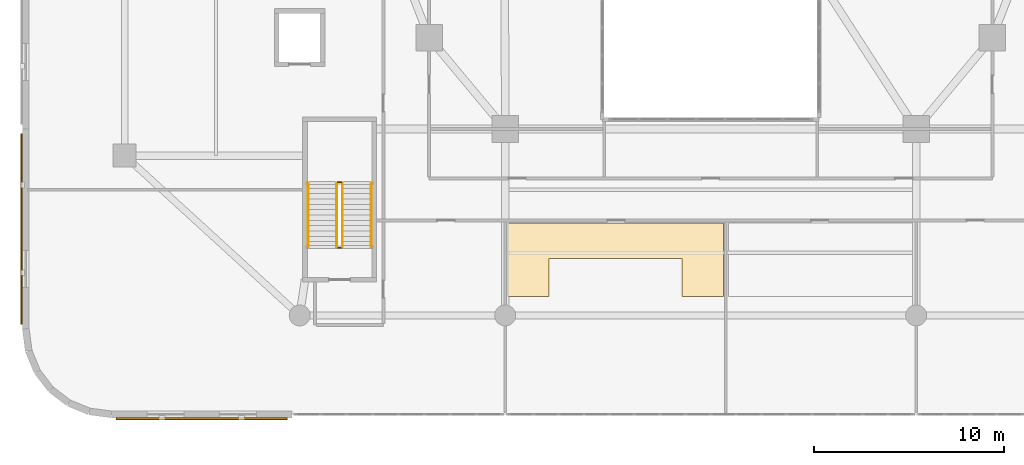
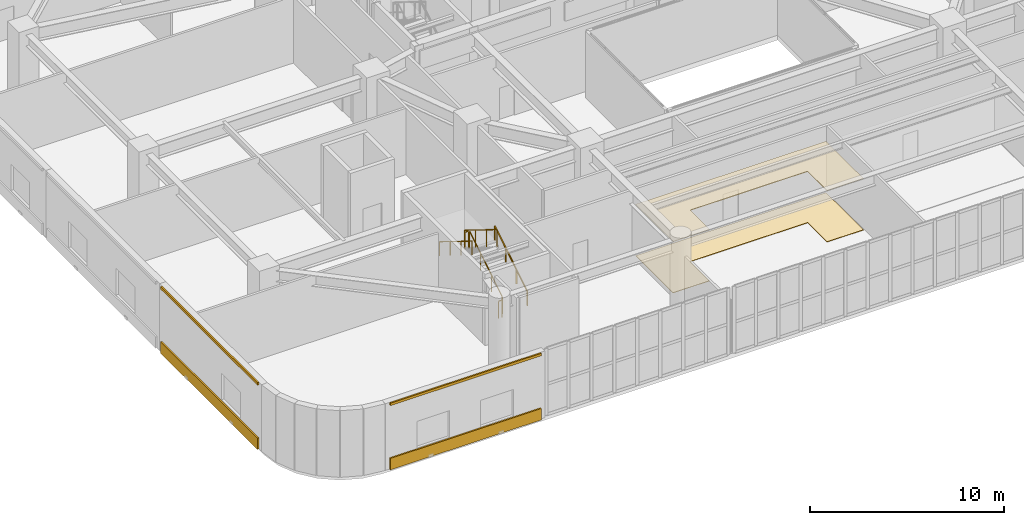
# One storey, part 19 of 25: 6 coverings, 6 railings.
"""IFC4 building model written with IfcOpenShell, lengths in metres."""

from ifc_helpers import new_model, si_unit, direction, frame, origin, origin_2d, place, context, subcontext, project, spatial, polyline, rectangle, outline, extrude, material, layer, layer_set, type_object, element, save


model = new_model("IFC4")

# Units and contexts
model_context = context("Model", 3, precision=1e-05, world=origin(), true_north=direction((0.0, 1.0)))
body_context = subcontext(model_context, "Body", "Model", "MODEL_VIEW")
ifc_project = project(units=[si_unit("LENGTHUNIT", "METRE"), si_unit("AREAUNIT", "SQUARE_METRE"), si_unit("VOLUMEUNIT", "CUBIC_METRE"), si_unit("PLANEANGLEUNIT", "RADIAN"), si_unit("MASSUNIT", "GRAM", prefix="KILO")], contexts=[model_context])

# Site, building, storey
site_placement = place(None, origin())
site = spatial("IfcSite", under=ifc_project, at=site_placement, CompositionType="ELEMENT")
building_placement = place(site_placement, origin())
building = spatial("IfcBuilding", under=site, at=building_placement, Name="Haldorwick Loom Tower", CompositionType="ELEMENT")
storey_placement = place(building_placement, frame((0.0, 0.0, 10.5)))
storey = spatial("IfcBuildingStorey", under=building, at=storey_placement, Name="L02", CompositionType="ELEMENT", Elevation=10.5)

# Coverings
ifc_material_1 = material(Name="Corbelled Pressed Clay Face Brick Veneer", Category="masonry")
ifc_layer_1 = layer(ifc_material_1, 0.090087890625, Name="Corbelled Pressed Clay Face Brick Veneer", Category="masonry")
ifc_layer_set_1 = layer_set([ifc_layer_1], Name="Corbelled Pressed Clay Face Brick Veneer")
covering_type_1 = type_object("IfcCoveringType", Name="ARC-COV-BRICK090", PredefinedType="CLADDING", material=ifc_layer_set_1)
covering_1_placement = place(storey_placement, origin())
element("IfcCovering", 1, at=covering_1_placement, inside=storey, type_object=covering_type_1, Name="L02 Sill Face-Brick Spandrel 31", PredefinedType="CLADDING", context=body_context, shape_type="SweptSolid", body=[
    extrude(outline(polyline([(-0.27001953125, 14.75), (-0.27001953125, 4.75), (-0.179931640625, 4.75), (-0.179931640625, 14.75), (-0.27001953125, 14.75)])), origin(), (0.0, 0.0, 1.0), 0.719970703125),
])
covering_2_placement = place(storey_placement, frame((0.0, 0.0, 4.0400390625)))
element("IfcCovering", 2, at=covering_2_placement, inside=storey, type_object=covering_type_1, Name="L02 Head Face-Brick Lintel Band 31", PredefinedType="CLADDING", context=body_context, shape_type="SweptSolid", body=[
    extrude(outline(polyline([(-0.27001953125, 14.75), (-0.27001953125, 4.75), (-0.179931640625, 4.75), (-0.179931640625, 14.75), (-0.27001953125, 14.75)])), origin(), (0.0, 0.0, 1.0), 0.159912109375),
])
covering_3_placement = place(storey_placement, origin())
element("IfcCovering", 3, at=covering_3_placement, inside=storey, type_object=covering_type_1, Name="L02 Sill Face-Brick Spandrel 38", PredefinedType="CLADDING", context=body_context, shape_type="SweptSolid", body=[
    extrude(outline(polyline([(4.75, -0.27001953125), (13.75, -0.27001953125), (13.75, -0.179931640625), (4.75, -0.179931640625), (4.75, -0.27001953125)])), origin(), (0.0, 0.0, 1.0), 0.719970703125),
])
covering_4_placement = place(storey_placement, frame((0.0, 0.0, 4.0400390625)))
element("IfcCovering", 4, at=covering_4_placement, inside=storey, type_object=covering_type_1, Name="L02 Head Face-Brick Lintel Band 38", PredefinedType="CLADDING", context=body_context, shape_type="SweptSolid", body=[
    extrude(outline(polyline([(4.75, -0.27001953125), (13.75, -0.27001953125), (13.75, -0.179931640625), (4.75, -0.179931640625), (4.75, -0.27001953125)])), origin(), (0.0, 0.0, 1.0), 0.159912109375),
])
ifc_material_2 = material(Name="Mineral Fibre Acoustic Ceiling Tile")
ifc_layer_2 = layer(ifc_material_2, 0.0400390625, Name="Mineral Fibre Acoustic Ceiling Tile")
ifc_layer_set_2 = layer_set([ifc_layer_2], Name="Mineral Fibre Acoustic Ceiling Tile")
covering_type_2 = type_object("IfcCoveringType", Name="ARC-COV-CEIL", PredefinedType="CEILING", material=ifc_layer_set_2)
covering_5_placement = place(storey_placement, frame((0.0, 0.0, 3.22509765625)))
element("IfcCovering", 5, at=covering_5_placement, inside=storey, type_object=covering_type_2, Name="L02 Acoustic Suspended Ceiling 1", PredefinedType="CEILING", context=body_context, shape_type="SweptSolid", body=[
    extrude(outline(polyline([(25.330078125, 6.199951171875), (27.5, 6.199951171875), (27.5, 8.199951171875), (34.5, 8.199951171875), (34.5, 6.199951171875), (36.669921875, 6.199951171875), (36.669921875, 10.06005859375), (25.330078125, 10.06005859375), (25.330078125, 6.199951171875)])), origin(), (0.0, 0.0, 1.0), 0.039794921875),
])
ifc_material_3 = material(Name="Polished Aggregate Terrazzo Finish")
ifc_layer_3 = layer(ifc_material_3, 0.030029296875, Name="Polished Aggregate Terrazzo Finish")
ifc_layer_set_3 = layer_set([ifc_layer_3], Name="Polished Aggregate Terrazzo Finish")
covering_type_3 = type_object("IfcCoveringType", Name="ARC-COV-FLOOR", PredefinedType="FLOORING", material=ifc_layer_set_3)
covering_6_placement = place(storey_placement, origin())
element("IfcCovering", 6, at=covering_6_placement, inside=storey, type_object=covering_type_3, Name="L02 Floor Finish 1", PredefinedType="FLOORING", context=body_context, shape_type="SweptSolid", body=[
    extrude(outline(polyline([(25.330078125, 6.199951171875), (27.5, 6.199951171875), (27.5, 8.199951171875), (34.5, 8.199951171875), (34.5, 6.199951171875), (36.669921875, 6.199951171875), (36.669921875, 10.06005859375), (25.330078125, 10.06005859375), (25.330078125, 6.199951171875)])), origin(), (0.0, 0.0, 1.0), 0.030029296875),
])

# Railings
ifc_material_4 = material(Name="Steel CSA G40.21 350W", Category="steel")
railing_type_1 = type_object("IfcRailingType", Name="ARC-RLG-GUARD112", PredefinedType="GUARDRAIL", material=ifc_material_4)
railing_1_placement = place(storey_placement, frame((16.64990234375, 8.800048828125, 0.173095703125)))
element("IfcRailing", 7, at=railing_1_placement, inside=storey, type_object=railing_type_1, Name="L02 ST-P1 stair guard 1", PredefinedType="GUARDRAIL", context=body_context, shape_type="SweptSolid", body=[
    extrude(rectangle(XDim=0.048095703125, YDim=0.048095703125, at=origin_2d()), frame((0.0, 0.0, 1.076171875), z_axis=(0.0, 0.850606129759, 0.525803396734), x_axis=(-1.0, 0.0, 0.0)), (0.0, 0.0, 1.0), 3.949951171875),
    extrude(rectangle(XDim=0.0419921875, YDim=0.0419921875, at=origin_2d()), origin(), (0.0, 0.0, 1.0), 1.052001953125),
    extrude(rectangle(XDim=0.0419921875, YDim=0.0419921875, at=origin_2d()), frame((0.0, 1.119873046875, 0.6923828125)), (0.0, 0.0, 1.0), 1.052001953125),
    extrude(rectangle(XDim=0.0419921875, YDim=0.0419921875, at=origin_2d()), frame((0.0, 2.239990234375, 1.384521484375)), (0.0, 0.0, 1.0), 1.052001953125),
    extrude(rectangle(XDim=0.0419921875, YDim=0.0419921875, at=origin_2d()), frame((0.0, 3.35986328125, 2.076904296875)), (0.0, 0.0, 1.0), 1.052001953125),
])
railing_2_placement = place(storey_placement, frame((16.60009765625, 12.2099609375, 2.25)))
element("IfcRailing", 8, at=railing_2_placement, inside=storey, type_object=railing_type_1, Name="L02 ST-P1 stair guard 2", PredefinedType="GUARDRAIL", context=body_context, shape_type="SweptSolid", body=[
    extrude(rectangle(XDim=0.048095703125, YDim=0.048095703125, at=origin_2d()), frame((0.0, 0.0, 1.076171875), z_axis=(-1.0, 0.0, 0.0), x_axis=(0.0, -1.0, 0.0)), (0.0, 0.0, 1.0), 0.2001953125),
    extrude(rectangle(XDim=0.0419921875, YDim=0.0419921875, at=origin_2d()), origin(), (0.0, 0.0, 1.0), 1.052001953125),
    extrude(rectangle(XDim=0.0419921875, YDim=0.0419921875, at=origin_2d()), frame((-0.2001953125, 0.0, 0.0)), (0.0, 0.0, 1.0), 1.052001953125),
])
railing_3_placement = place(storey_placement, frame((16.35009765625, 12.159912109375, 2.423095703125)))
element("IfcRailing", 9, at=railing_3_placement, inside=storey, type_object=railing_type_1, Name="L02 ST-P1 stair guard 3", PredefinedType="GUARDRAIL", context=body_context, shape_type="SweptSolid", body=[
    extrude(rectangle(XDim=0.048095703125, YDim=0.048095703125, at=origin_2d()), frame((0.0, 0.0, 1.076171875), z_axis=(0.0, -0.850606129759, 0.525803396734), x_axis=(1.0, 0.0, 0.0)), (0.0, 0.0, 1.0), 3.949951171875),
    extrude(rectangle(XDim=0.0419921875, YDim=0.0419921875, at=origin_2d()), origin(), (0.0, 0.0, 1.0), 1.052001953125),
    extrude(rectangle(XDim=0.0419921875, YDim=0.0419921875, at=origin_2d()), frame((0.0, -1.119873046875, 0.6923828125)), (0.0, 0.0, 1.0), 1.052001953125),
    extrude(rectangle(XDim=0.0419921875, YDim=0.0419921875, at=origin_2d()), frame((0.0, -2.239990234375, 1.384521484375)), (0.0, 0.0, 1.0), 1.052001953125),
    extrude(rectangle(XDim=0.0419921875, YDim=0.0419921875, at=origin_2d()), frame((0.0, -3.35986328125, 2.076904296875)), (0.0, 0.0, 1.0), 1.052001953125),
])
railing_4_placement = place(storey_placement, frame((16.60009765625, 8.75, 0.0)))
element("IfcRailing", 10, at=railing_4_placement, inside=storey, type_object=railing_type_1, Name="L02 ST-P1 stair guard 4", PredefinedType="GUARDRAIL", context=body_context, shape_type="SweptSolid", body=[
    extrude(rectangle(XDim=0.048095703125, YDim=0.048095703125, at=origin_2d()), frame((0.0, 0.0, 1.076171875), z_axis=(-1.0, 0.0, 0.0), x_axis=(0.0, -1.0, 0.0)), (0.0, 0.0, 1.0), 0.2001953125),
    extrude(rectangle(XDim=0.0419921875, YDim=0.0419921875, at=origin_2d()), origin(), (0.0, 0.0, 1.0), 1.052001953125),
    extrude(rectangle(XDim=0.0419921875, YDim=0.0419921875, at=origin_2d()), frame((-0.2001953125, 0.0, 0.0)), (0.0, 0.0, 1.0), 1.052001953125),
])
railing_type_2 = type_object("IfcRailingType", Name="ARC-RLG-HAND092", PredefinedType="HANDRAIL", material=ifc_material_4)
railing_5_placement = place(storey_placement, frame((18.14990234375, 8.800048828125, 0.173095703125)))
element("IfcRailing", 11, at=railing_5_placement, inside=storey, type_object=railing_type_2, Name="L02 ST-P1 stair handrail 1", PredefinedType="HANDRAIL", context=body_context, shape_type="SweptSolid", body=[
    extrude(rectangle(XDim=0.048095703125, YDim=0.048095703125, at=origin_2d()), frame((0.0, 0.0, 0.8759765625), z_axis=(0.0, 0.850606129759, 0.525803396734), x_axis=(-1.0, 0.0, 0.0)), (0.0, 0.0, 1.0), 3.949951171875),
    extrude(rectangle(XDim=0.0419921875, YDim=0.0419921875, at=origin_2d()), origin(), (0.0, 0.0, 1.0), 0.851806640625),
    extrude(rectangle(XDim=0.0419921875, YDim=0.0419921875, at=origin_2d()), frame((0.0, 1.119873046875, 0.6923828125)), (0.0, 0.0, 1.0), 0.851806640625),
    extrude(rectangle(XDim=0.0419921875, YDim=0.0419921875, at=origin_2d()), frame((0.0, 2.239990234375, 1.384521484375)), (0.0, 0.0, 1.0), 0.851806640625),
    extrude(rectangle(XDim=0.0419921875, YDim=0.0419921875, at=origin_2d()), frame((0.0, 3.35986328125, 2.076904296875)), (0.0, 0.0, 1.0), 0.851806640625),
])
railing_6_placement = place(storey_placement, frame((14.85009765625, 12.159912109375, 2.423095703125)))
element("IfcRailing", 12, at=railing_6_placement, inside=storey, type_object=railing_type_2, Name="L02 ST-P1 stair handrail 2", PredefinedType="HANDRAIL", context=body_context, shape_type="SweptSolid", body=[
    extrude(rectangle(XDim=0.048095703125, YDim=0.048095703125, at=origin_2d()), frame((0.0, 0.0, 0.8759765625), z_axis=(0.0, -0.850606129759, 0.525803396734), x_axis=(1.0, 0.0, 0.0)), (0.0, 0.0, 1.0), 3.949951171875),
    extrude(rectangle(XDim=0.0419921875, YDim=0.0419921875, at=origin_2d()), origin(), (0.0, 0.0, 1.0), 0.851806640625),
    extrude(rectangle(XDim=0.0419921875, YDim=0.0419921875, at=origin_2d()), frame((0.0, -1.119873046875, 0.6923828125)), (0.0, 0.0, 1.0), 0.851806640625),
    extrude(rectangle(XDim=0.0419921875, YDim=0.0419921875, at=origin_2d()), frame((0.0, -2.239990234375, 1.384521484375)), (0.0, 0.0, 1.0), 0.851806640625),
    extrude(rectangle(XDim=0.0419921875, YDim=0.0419921875, at=origin_2d()), frame((0.0, -3.35986328125, 2.076904296875)), (0.0, 0.0, 1.0), 0.851806640625),
])

save(model, "model.ifc")
